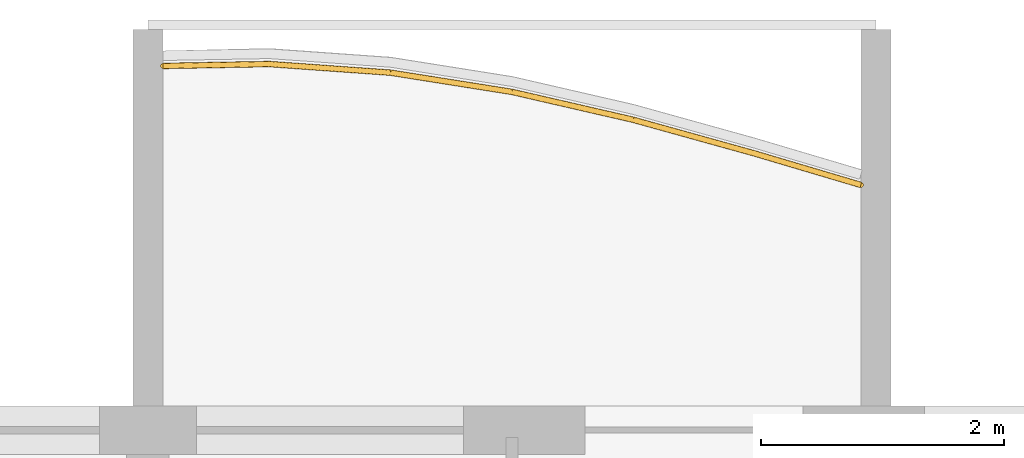
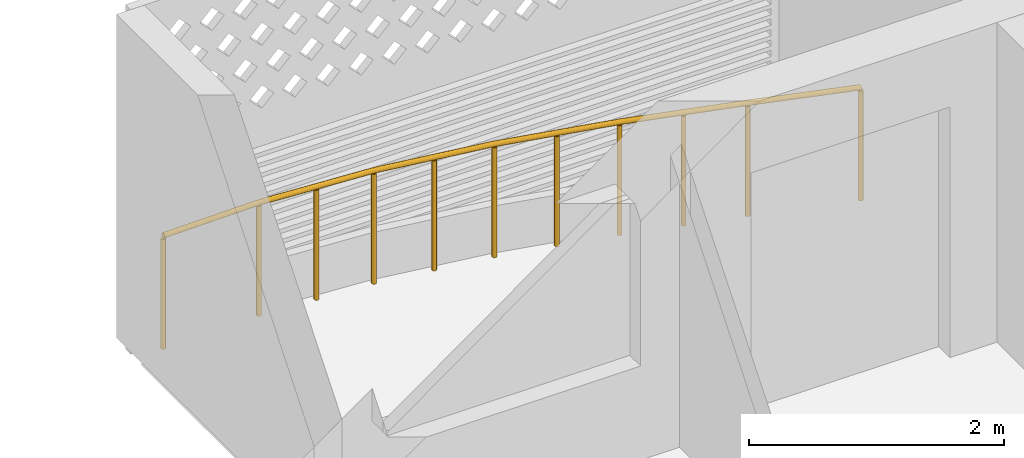
# One storey, part 25 of 31: 1 railing.
"""IFC4 building model written with IfcOpenShell, lengths in metres."""

from ifc_helpers import new_model, si_unit, direction, frame, origin, origin_2d, place, context, subcontext, project, spatial, circle, extrude, material, type_object, element, save


model = new_model("IFC4")

# Units and contexts
model_context = context("Model", 3, precision=1e-05, world=origin(), true_north=direction((0.0, 1.0)))
body_context = subcontext(model_context, "Body", "Model", "MODEL_VIEW")
ifc_project = project(units=[si_unit("LENGTHUNIT", "METRE"), si_unit("AREAUNIT", "SQUARE_METRE"), si_unit("VOLUMEUNIT", "CUBIC_METRE"), si_unit("PLANEANGLEUNIT", "RADIAN"), si_unit("MASSUNIT", "GRAM", prefix="KILO")], contexts=[model_context])

# Site, building, storey
site_placement = place(None, origin())
site = spatial("IfcSite", under=ifc_project, at=site_placement, CompositionType="ELEMENT")
building_placement = place(site_placement, origin())
building = spatial("IfcBuilding", under=site, at=building_placement, Name="Poui Terraces", CompositionType="ELEMENT")
storey_placement = place(building_placement, frame((0.0, 0.0, 82.800048828125)))
storey = spatial("IfcBuildingStorey", under=building, at=storey_placement, Name="L22", CompositionType="ELEMENT", Elevation=82.800048828125)

# Railing
ifc_material = material(Name="Painted steel fretwork", Category="steel")
railing_type = type_object("IfcRailingType", Name="BALCONY GUARD 1100", PredefinedType="GUARDRAIL", material=ifc_material)
railing_placement = place(storey_placement, frame((48.125, 46.601318359375, 0.0)))
element("IfcRailing", 1, at=railing_placement, inside=storey, type_object=railing_type, Name="BALCONY GUARD", PredefinedType="GUARDRAIL", context=body_context, shape_type="SweptSolid", body=[
    extrude(circle(Radius=0.02392578125, at=origin_2d()), frame((0.0, 0.0, 1.076171875), z_axis=(0.999840599345, 0.017854296417, 0.0), x_axis=(-0.017854296417, 0.999840599345, 0.0)), (0.0, 0.0, 1.0), 0.875244140625),
    extrude(circle(Radius=0.02392578125, at=origin_2d()), frame((0.875, 0.015625, 1.076171875), z_axis=(0.997485823051, -0.07086630237, 0.0), x_axis=(0.07086630237, 0.997485823051, 0.0)), (0.0, 0.0, 1.0), 1.00244140625),
    extrude(circle(Radius=0.02392578125, at=origin_2d()), frame((1.875, -0.055419921875, 1.076171875), z_axis=(0.9876787513, -0.156494997459, 0.0), x_axis=(0.156494997459, 0.9876787513, 0.0)), (0.0, 0.0, 1.0), 1.012451171875),
    extrude(circle(Radius=0.02392578125, at=origin_2d()), frame((2.875, -0.2138671875, 1.076171875), z_axis=(0.974559344395, -0.224129614849, 0.0), x_axis=(0.224129614849, 0.974559344395, 0.0)), (0.0, 0.0, 1.0), 1.026123046875),
    extrude(circle(Radius=0.02392578125, at=origin_2d()), frame((3.875, -0.44384765625, 1.076171875), z_axis=(0.963565078544, -0.267473997633, 0.0), x_axis=(0.267473997633, 0.963565078544, 0.0)), (0.0, 0.0, 1.0), 1.037841796875),
    extrude(circle(Radius=0.02392578125, at=origin_2d()), frame((4.875, -0.721435546875, 1.076171875), z_axis=(0.9587927149, -0.284106546658, 0.0), x_axis=(0.284106546658, 0.9587927149, 0.0)), (0.0, 0.0, 1.0), 0.91259765625),
    extrude(circle(Radius=0.02099609375, at=origin_2d()), origin(), (0.0, 0.0, 1.0), 1.052001953125),
    extrude(circle(Radius=0.02099609375, at=origin_2d()), frame((0.875, 0.015625, 0.0)), (0.0, 0.0, 1.0), 1.052001953125),
    extrude(circle(Radius=0.02099609375, at=origin_2d()), frame((1.375, -0.02001953125, 0.0)), (0.0, 0.0, 1.0), 1.052001953125),
    extrude(circle(Radius=0.02099609375, at=origin_2d()), frame((1.875, -0.055419921875, 0.0)), (0.0, 0.0, 1.0), 1.052001953125),
    extrude(circle(Radius=0.02099609375, at=origin_2d()), frame((2.375, -0.134765625, 0.0)), (0.0, 0.0, 1.0), 1.052001953125),
    extrude(circle(Radius=0.02099609375, at=origin_2d()), frame((2.875, -0.2138671875, 0.0)), (0.0, 0.0, 1.0), 1.052001953125),
    extrude(circle(Radius=0.02099609375, at=origin_2d()), frame((3.375, -0.328857421875, 0.0)), (0.0, 0.0, 1.0), 1.052001953125),
    extrude(circle(Radius=0.02099609375, at=origin_2d()), frame((3.875, -0.44384765625, 0.0)), (0.0, 0.0, 1.0), 1.052001953125),
    extrude(circle(Radius=0.02099609375, at=origin_2d()), frame((4.375, -0.58251953125, 0.0)), (0.0, 0.0, 1.0), 1.052001953125),
    extrude(circle(Radius=0.02099609375, at=origin_2d()), frame((4.875, -0.721435546875, 0.0)), (0.0, 0.0, 1.0), 1.052001953125),
    extrude(circle(Radius=0.02099609375, at=origin_2d()), frame((5.75, -0.980712890625, 0.0)), (0.0, 0.0, 1.0), 1.052001953125),
])

save(model, "model.ifc")
